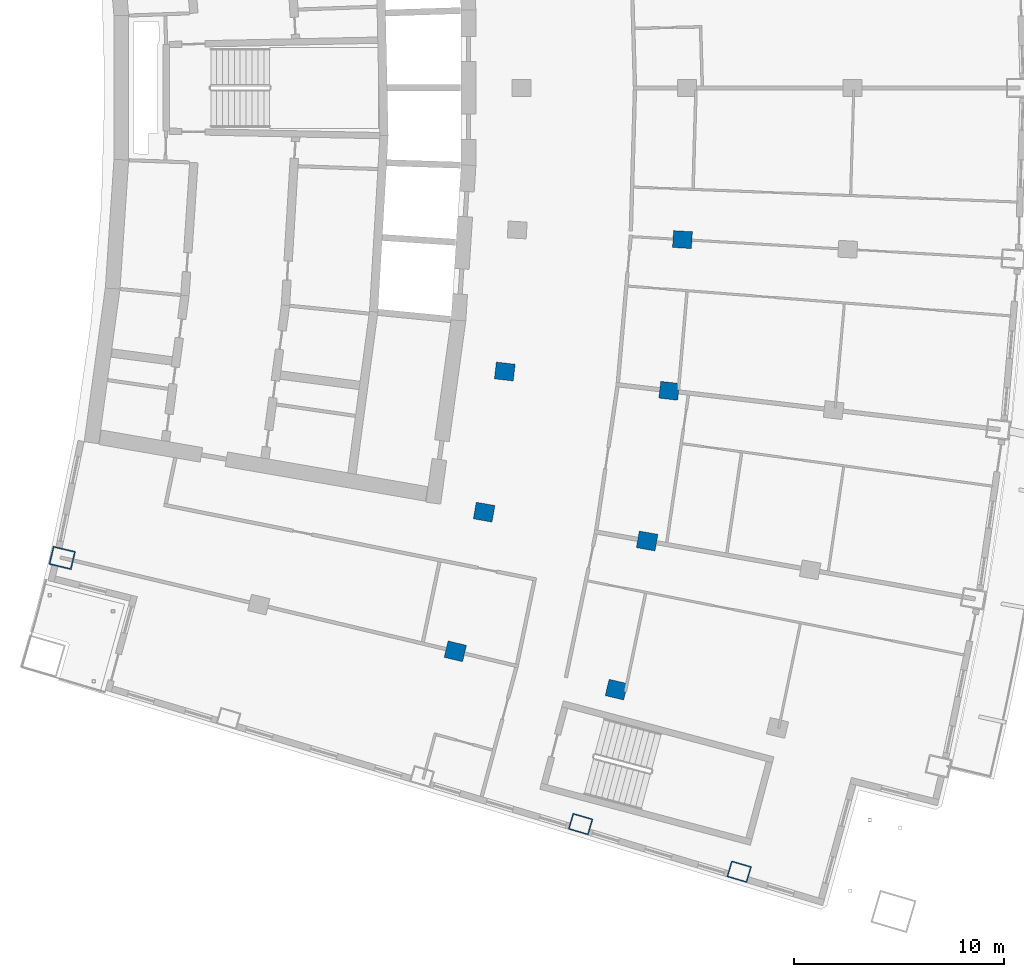
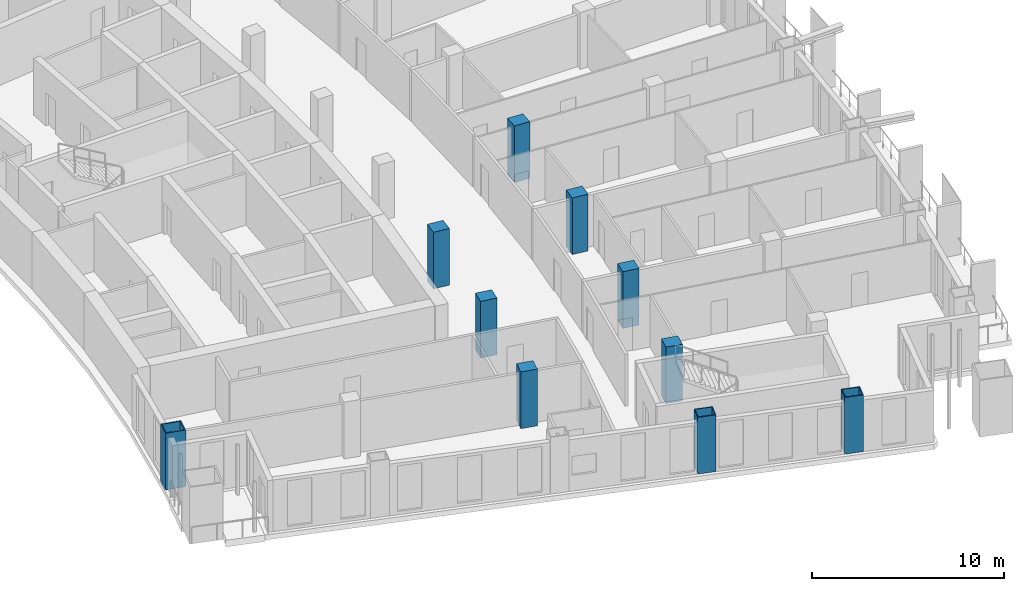
# One storey, part 2 of 20: 10 columns.
"""IFC4 building model written with IfcOpenShell, lengths in metres."""

from ifc_helpers import new_model, si_unit, direction, frame, origin, origin_2d, place, context, subcontext, project, spatial, rectangle, hollow_rectangle, extrude, material, material_profile, profile_set, type_object, element, save


model = new_model("IFC4")

# Units and contexts
model_context = context("Model", 3, precision=1e-05, world=origin(), true_north=direction((0.0, 1.0)))
body_context = subcontext(model_context, "Body", "Model", "MODEL_VIEW")
ifc_project = project(units=[si_unit("LENGTHUNIT", "METRE"), si_unit("AREAUNIT", "SQUARE_METRE"), si_unit("VOLUMEUNIT", "CUBIC_METRE"), si_unit("PLANEANGLEUNIT", "RADIAN"), si_unit("MASSUNIT", "GRAM", prefix="KILO")], contexts=[model_context])

# Site, building, storey
site_placement = place(None, origin())
site = spatial("IfcSite", under=ifc_project, at=site_placement, CompositionType="ELEMENT")
building_placement = place(site_placement, origin())
building = spatial("IfcBuilding", under=site, at=building_placement, Name="Alderwake Tower", CompositionType="ELEMENT")
storey_placement = place(building_placement, frame((0.0, 0.0, 164.0)))
storey = spatial("IfcBuildingStorey", under=building, at=storey_placement, Name="L40", CompositionType="ELEMENT", Elevation=164.0)

# Columns
ifc_material_1 = material(Name="Steel ASTM A572 Grade 50 concrete filled C70/85", Category="concrete")
ifc_material_profile_1 = material_profile(ifc_material_1, hollow_rectangle(XDim=0.800048828125, YDim=1.0, WallThickness=0.054931640625, at=origin_2d()), Name="BOX 1000X800X55")
ifc_profile_set_1 = profile_set([ifc_material_profile_1], Name="Steel ASTM A572 Grade 50 concrete filled C70/85")
column_type_1 = type_object("IfcColumnType", Name="End column Z3", PredefinedType="COLUMN", material=ifc_profile_set_1)
for number, where, z_axis, x_axis, name in (
    (1, (38.614990234375, 26.014892578125, 0.0), (0.0, 0.0, 1.0), (0.282898957267, 0.959149717186, 0.0), "Column R02-C3"),
    (2, (46.1494140625, 23.752685546875, 0.0), (0.0, 0.0, 1.0), (0.283176834711, 0.959067714128, 0.0), "Column R02-C4"),
):
    element("IfcColumn", number, at=place(storey_placement, frame(where, z_axis=z_axis, x_axis=x_axis)), inside=storey, type_object=column_type_1, Name=name, PredefinedType="COLUMN", context=body_context, shape_type="SweptSolid", body=[
        extrude(hollow_rectangle(XDim=0.800048828125, YDim=1.0, WallThickness=0.054931640625, at=origin_2d()), origin(), (0.0, 0.0, 1.0), 3.60009765625),
    ])
ifc_material_2 = material(Name="Concrete C70/85", Category="concrete")
ifc_material_profile_2 = material_profile(ifc_material_2, rectangle(XDim=0.800048828125, YDim=0.89990234375, at=origin_2d()), Name="RC 900X800")
ifc_profile_set_2 = profile_set([ifc_material_profile_2], Name="Concrete C70/85")
column_type_2 = type_object("IfcColumnType", Name="Interior column Z3", PredefinedType="COLUMN", material=ifc_profile_set_2)
for number, where, z_axis, x_axis, name in (
    (3, (32.661865234375, 34.224609375, 0.0), (0.0, 0.0, 1.0), (0.231221547198, 0.972901123502, 0.0), "Column R03-C2"),
    (4, (40.3154296875, 32.405517578125, 0.0), (0.0, 0.0, 1.0), (0.231221547198, 0.972901123502, 0.0), "Column R03-C3"),
    (5, (34.03125, 40.83837890625, 0.0), (0.0, 0.0, 1.0), (0.174108800747, 0.984726421654, 0.0), "Column R04-C2"),
    (6, (41.77783203125, 39.468505859375, 0.0), (0.0, 0.0, 1.0), (0.174108800747, 0.984726421654, 0.0), "Column R04-C3"),
    (7, (35.0126953125, 47.5205078125, 0.0), (0.0, 0.0, 1.0), (0.116402054316, 0.993202175668, 0.0), "Column R05-C2"),
    (8, (42.825927734375, 46.60498046875, 0.0), (0.0, 0.0, 1.0), (0.116402054316, 0.993202175668, 0.0), "Column R05-C3"),
    (9, (43.456298828125, 53.790283203125, 0.0), (0.0, 0.0, 1.0), (0.058301061284, 0.998299046505, 0.0), "Column R06-C3"),
):
    element("IfcColumn", number, at=place(storey_placement, frame(where, z_axis=z_axis, x_axis=x_axis)), inside=storey, type_object=column_type_2, Name=name, PredefinedType="COLUMN", context=body_context, shape_type="SweptSolid", body=[
        extrude(rectangle(XDim=0.800048828125, YDim=0.89990234375, at=origin_2d()), origin(), (0.0, 0.0, 1.0), 3.60009765625),
    ])
ifc_material_3 = material(Name="Steel ASTM A572 Grade 50 concrete filled C70/85", Category="concrete")
ifc_material_profile_3 = material_profile(ifc_material_3, hollow_rectangle(XDim=0.89990234375, YDim=1.10009765625, WallThickness=0.06005859375, at=origin_2d()), Name="BOX 1100X900X60")
ifc_profile_set_3 = profile_set([ifc_material_profile_3], Name="Steel ASTM A572 Grade 50 concrete filled C70/85")
column_type_3 = type_object("IfcColumnType", Name="Perimeter column Z3", PredefinedType="COLUMN", material=ifc_profile_set_3)
column_placement = place(storey_placement, frame((13.982177734375, 38.6640625, 0.0), z_axis=(0.0, 0.0, 1.0), x_axis=(0.231221547198, 0.972901123502, 0.0)))
element("IfcColumn", 10, at=column_placement, inside=storey, type_object=column_type_3, Name="Column R03-C0", PredefinedType="COLUMN", context=body_context, shape_type="SweptSolid", body=[
    extrude(hollow_rectangle(XDim=0.89990234375, YDim=1.10009765625, WallThickness=0.06005859375, at=origin_2d()), origin(), (0.0, 0.0, 1.0), 3.60009765625),
])

save(model, "model.ifc")
